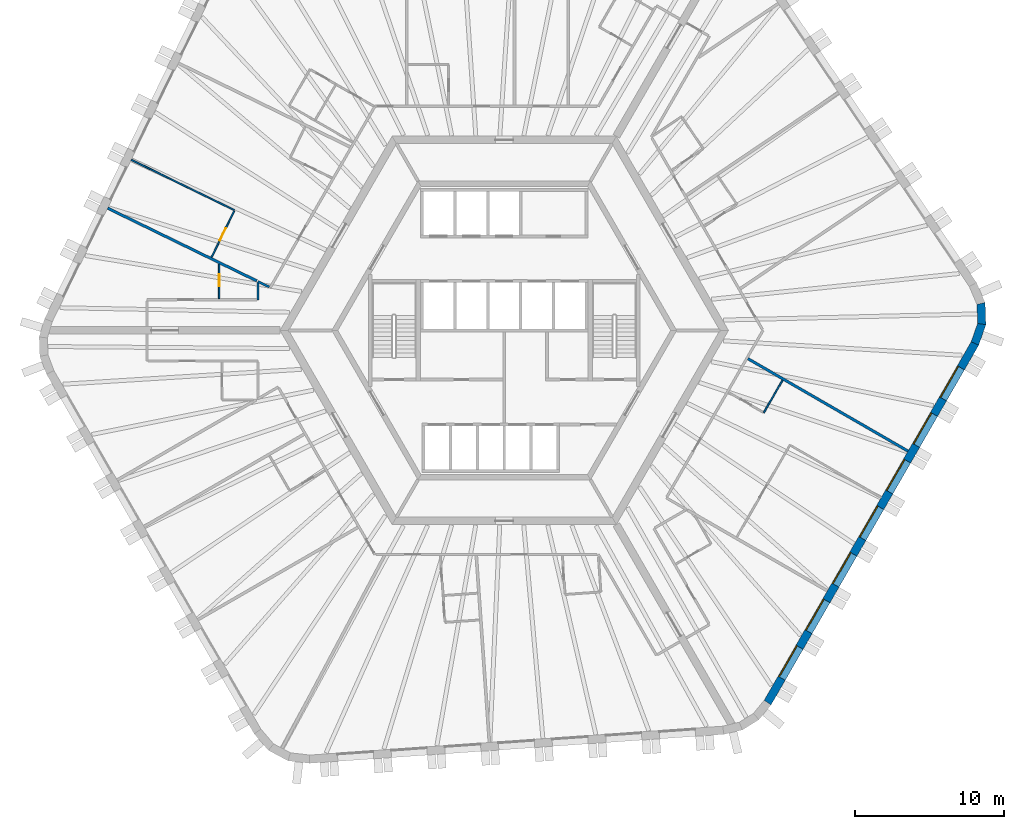
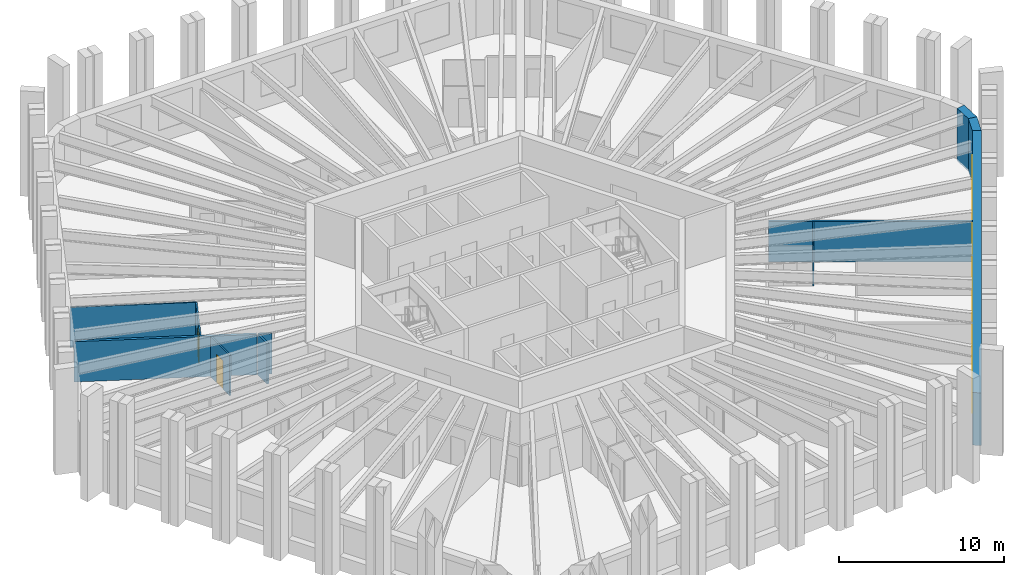
# One storey, part 6 of 11: 11 walls, 7 windows, 2 doors, 9 openings.
"""IFC4 building model written with IfcOpenShell, lengths in metres."""

from ifc_helpers import new_model, si_unit, direction, frame, frame_2d, origin, place, context, subcontext, project, spatial, polyline, rectangle, outline, extrude, material, layer, layer_set, type_object, element, fill, save


model = new_model("IFC4")

# Units and contexts
model_context = context("Model", 3, precision=1e-05, world=origin(), true_north=direction((0.0, 1.0)))
body_context = subcontext(model_context, "Body", "Model", "MODEL_VIEW")
ifc_project = project(units=[si_unit("LENGTHUNIT", "METRE"), si_unit("AREAUNIT", "SQUARE_METRE"), si_unit("VOLUMEUNIT", "CUBIC_METRE"), si_unit("PLANEANGLEUNIT", "RADIAN"), si_unit("MASSUNIT", "GRAM", prefix="KILO")], contexts=[model_context])

# Site, building, storey
site_placement = place(None, origin())
site = spatial("IfcSite", under=ifc_project, at=site_placement, CompositionType="ELEMENT")
building_placement = place(site_placement, origin())
building = spatial("IfcBuilding", under=site, at=building_placement, Name="Tarnside Tower", CompositionType="ELEMENT")
storey_placement = place(building_placement, frame((0.0, 0.0, 207.300048828125)))
storey = spatial("IfcBuildingStorey", under=building, at=storey_placement, Name="L49", CompositionType="ELEMENT", Elevation=207.300048828125)

# Wall, opening, door
ifc_material_1 = material(Name="Gypsum board partition on steel studs", Category="steel")
ifc_layer_1 = layer(ifc_material_1, 0.10009765625)
ifc_layer_set_1 = layer_set([ifc_layer_1], Name="Bathroom wall 100")
wall_type_1 = type_object("IfcWallType", Name="Bathroom wall 100", PredefinedType="PARTITIONING", material=ifc_layer_set_1)
wall_1_placement = place(storey_placement, frame((-19.0869140625, 2.125, 0.0), z_axis=(0.0, 0.0, 1.0), x_axis=(0.0, 1.0, 0.0)))
wall_1 = element("IfcWall", 1, at=wall_1_placement, inside=storey, type_object=wall_type_1, Name="Bathroom wall 16075", PredefinedType="PARTITIONING", context=body_context, shape_type="SweptSolid", body=[
    extrude(rectangle(XDim=2.320068359375, YDim=0.10009765625, at=frame_2d((1.16015625, 0.0))), origin(), (0.0, 0.0, 1.0), 2.98779296875),
])
opening_1_placement = place(wall_1_placement, frame((0.824951171875, 0.0, 0.0)))
opening_1 = element("IfcOpeningElement", 2, at=opening_1_placement, cuts=wall_1, Name="Opening D-B1", PredefinedType="OPENING", context=body_context, shape_type="SweptSolid", body=[
    extrude(rectangle(XDim=0.800048828125, YDim=2.10009765625, at=frame_2d((0.39990234375, 1.050048828125))), frame((0.0, 0.06005859375, 0.0), z_axis=(0.0, -1.0, 0.0), x_axis=(1.0, 0.0, 0.0)), (0.0, 0.0, 1.0), 0.1201171875),
])
ifc_material_2 = material(Name="Timber door leaf", Category="wood")
door_type_1 = type_object("IfcDoorType", Name="Bathroom door 800", OperationType="NOTDEFINED", PredefinedType="DOOR", material=ifc_material_2)
door_1_placement = place(opening_1_placement, origin())
door_1 = element("IfcDoor", 3, at=door_1_placement, inside=storey, type_object=door_type_1, Name="Bathroom door 16013", OperationType="SINGLE_SWING_LEFT", OverallHeight=2.10009765625, OverallWidth=0.800048828125, PredefinedType="DOOR", context=body_context, shape_type="SweptSolid", body=[
    extrude(rectangle(XDim=0.800048828125, YDim=2.10009765625, at=frame_2d((0.39990234375, 1.050048828125))), frame((0.0, 0.02490234375, 0.0), z_axis=(0.0, -1.0, 0.0), x_axis=(1.0, 0.0, 0.0)), (0.0, 0.0, 1.0), 0.050048828125),
])
fill(opening_1, door_1)

# Walls
wall_2_placement = place(storey_placement, frame((18.629150390625, -3.333251953125, 0.0), z_axis=(0.0, 0.0, 1.0), x_axis=(-0.499946979623, -0.86605601295, 0.0)))
element("IfcWall", 4, at=wall_2_placement, inside=storey, type_object=wall_type_1, Name="Bathroom wall 16100", PredefinedType="PARTITIONING", context=body_context, shape_type="SweptSolid", body=[
    extrude(rectangle(XDim=2.510009765625, YDim=0.10009765625, at=frame_2d((1.2548828125, 0.0))), origin(), (0.0, 0.0, 1.0), 2.98779296875),
])
ifc_layer_2 = layer(ifc_material_1, 0.14990234375)
ifc_layer_set_2 = layer_set([ifc_layer_2], Name="Corridor wall 150 EI 60")
wall_type_2 = type_object("IfcWallType", Name="Corridor wall 150 EI 60", PredefinedType="PARTITIONING", material=ifc_layer_set_2)
wall_3_placement = place(storey_placement, frame((-15.728759765625, 2.9072265625, 0.0), z_axis=(0.0, 0.0, 1.0), x_axis=(-0.898821061416, 0.438315753259, 0.0)))
element("IfcWall", 5, at=wall_3_placement, inside=storey, type_object=wall_type_2, Name="Corridor wall 16013", PredefinedType="PARTITIONING", context=body_context, shape_type="SweptSolid", body=[
    extrude(rectangle(XDim=0.84716796875, YDim=0.14990234375, at=frame_2d((0.423583984375, 0.0))), origin(), (0.0, 0.0, 1.0), 2.98779296875),
])
wall_4_placement = place(storey_placement, frame((-16.487060546875, 3.193603515625, 0.0), z_axis=(0.0, 0.0, 1.0), x_axis=(0.0, -1.0, 0.0)))
element("IfcWall", 6, at=wall_4_placement, inside=storey, type_object=wall_type_2, Name="Corridor wall 16017", PredefinedType="PARTITIONING", context=body_context, shape_type="SweptSolid", body=[
    extrude(rectangle(XDim=1.1435546875, YDim=0.14990234375, at=frame_2d((0.57177734375, 0.0))), origin(), (0.0, 0.0, 1.0), 2.98779296875),
])
ifc_layer_3 = layer(ifc_material_1, 0.179931640625)
ifc_layer_set_3 = layer_set([ifc_layer_3], Name="Demising wall 180 EI 60")
wall_type_3 = type_object("IfcWallType", Name="Demising wall 180 EI 60", PredefinedType="PARTITIONING", material=ifc_layer_set_3)
wall_5_placement = place(storey_placement, frame((-26.549072265625, 8.1845703125, 0.0), z_axis=(0.0, 0.0, 1.0), x_axis=(0.898799907013, -0.43835913034, 0.0)))
element("IfcWall", 7, at=wall_5_placement, inside=storey, type_object=wall_type_3, Name="Demising wall 16072", PredefinedType="PARTITIONING", context=body_context, shape_type="SweptSolid", body=[
    extrude(rectangle(XDim=11.111572265625, YDim=0.179931640625, at=frame_2d((5.5556640625, 0.0))), origin(), (0.0, 0.0, 1.0), 2.98779296875),
])
wall_6_placement = place(storey_placement, frame((27.03125, -8.080322265625, 0.0), z_axis=(0.0, 0.0, 1.0), x_axis=(-0.866024931941, 0.500000817256, 0.0)))
element("IfcWall", 8, at=wall_6_placement, inside=storey, type_object=wall_type_3, Name="Demising wall 16104", PredefinedType="PARTITIONING", context=body_context, shape_type="SweptSolid", body=[
    extrude(rectangle(XDim=12.375, YDim=0.179931640625, at=frame_2d((6.1875, 0.0))), origin(), (0.0, 0.0, 1.0), 2.98779296875),
])
ifc_layer_4 = layer(ifc_material_1, 0.10009765625)
ifc_layer_set_4 = layer_set([ifc_layer_4], Name="Partition 100")
wall_type_4 = type_object("IfcWallType", Name="Partition 100", PredefinedType="PARTITIONING", material=ifc_layer_set_4)
wall_7_placement = place(storey_placement, frame((-24.970947265625, 11.420166015625, 0.0), z_axis=(0.0, 0.0, 1.0), x_axis=(0.89880199998, -0.438354838951, 0.0)))
element("IfcWall", 9, at=wall_7_placement, inside=storey, type_object=wall_type_4, Name="Partition wall 16070", PredefinedType="PARTITIONING", context=body_context, shape_type="SweptSolid", body=[
    extrude(rectangle(XDim=7.69140625, YDim=0.10009765625, at=frame_2d((3.845703125, 0.0))), origin(), (0.0, 0.0, 1.0), 2.98779296875),
])

# Wall, opening, door
wall_8_placement = place(storey_placement, frame((-18.07958984375, 8.003662109375, 0.0), z_axis=(0.0, 0.0, 1.0), x_axis=(-0.438386097111, -0.898786754386, 0.0)))
wall_8 = element("IfcWall", 10, at=wall_8_placement, inside=storey, type_object=wall_type_4, Name="Partition wall 16071", PredefinedType="PARTITIONING", context=body_context, shape_type="SweptSolid", body=[
    extrude(rectangle(XDim=3.4599609375, YDim=0.10009765625, at=frame_2d((1.72998046875, 0.0))), origin(), (0.0, 0.0, 1.0), 2.98779296875),
])
opening_2_placement = place(wall_8_placement, frame((1.300048828125, 0.0, 0.0)))
opening_2 = element("IfcOpeningElement", 11, at=opening_2_placement, cuts=wall_8, Name="Opening D-I1", PredefinedType="OPENING", context=body_context, shape_type="SweptSolid", body=[
    extrude(rectangle(XDim=0.89990234375, YDim=2.10009765625, at=frame_2d((0.449951171875, 1.050048828125))), frame((0.0, 0.06005859375, 0.0), z_axis=(0.0, -1.0, 0.0), x_axis=(1.0, 0.0, 0.0)), (0.0, 0.0, 1.0), 0.1201171875),
])
door_type_2 = type_object("IfcDoorType", Name="Internal door 900", OperationType="NOTDEFINED", PredefinedType="DOOR", material=ifc_material_2)
door_2_placement = place(opening_2_placement, origin())
door_2 = element("IfcDoor", 12, at=door_2_placement, inside=storey, type_object=door_type_2, Name="Internal door 16011", OperationType="SINGLE_SWING_RIGHT", OverallHeight=2.10009765625, OverallWidth=0.89990234375, PredefinedType="DOOR", context=body_context, shape_type="SweptSolid", body=[
    extrude(rectangle(XDim=0.89990234375, YDim=2.10009765625, at=frame_2d((0.449951171875, 1.050048828125))), frame((0.0, 0.02490234375, 0.0), z_axis=(0.0, -1.0, 0.0), x_axis=(1.0, 0.0, 0.0)), (0.0, 0.0, 1.0), 0.050048828125),
])
fill(opening_2, door_2)

# Wall, openings, windows
ifc_material_3 = material(Name="Facing brick", Category="masonry")
ifc_layer_5 = layer(ifc_material_3, 0.10205078125)
ifc_material_4 = material(Name="Concrete C60/75 precast", Category="concrete")
ifc_layer_6 = layer(ifc_material_4, 0.347900390625)
ifc_material_5 = material(Name="Mineral wool insulation")
ifc_layer_7 = layer(ifc_material_5, 0.10009765625)
ifc_layer_set_5 = layer_set([ifc_layer_5, ifc_layer_6, ifc_layer_7], Name="Tube wall 550 brick faced")
wall_type_5 = type_object("IfcWallType", Name="Tube wall 550 brick faced", PredefinedType="SOLIDWALL", material=ifc_layer_set_5)
wall_9_placement = place(storey_placement, frame((17.630126953125, -24.913818359375, -0.150146484375), z_axis=(0.0, 0.0, 1.0), x_axis=(0.499998569178, 0.866026229868, 0.0)))
wall_9 = element("IfcWall", 13, at=wall_9_placement, inside=storey, type_object=wall_type_5, Name="Tube wall L49 F5 flush 16", PredefinedType="SOLIDWALL", context=body_context, shape_type="SweptSolid", body=[
    extrude(outline(polyline([(-0.0224609375, -0.27490234375), (27.783447265625, -0.27490234375), (27.732177734375, 0.27490234375), (0.0224609375, 0.27490234375), (-0.0224609375, -0.27490234375)])), origin(), (0.0, 0.0, 1.0), 3.900146484375),
])
opening_3_placement = place(wall_9_placement, frame((1.87890625, 0.0, 1.050048828125)))
opening_3 = element("IfcOpeningElement", 14, at=opening_3_placement, cuts=wall_9, Name="Opening WH", PredefinedType="OPENING", context=body_context, shape_type="SweptSolid", body=[
    extrude(rectangle(XDim=2.39990234375, YDim=2.39990234375, at=frame_2d((1.199951171875, 1.199951171875))), frame((0.0, 0.28515625, 0.0), z_axis=(0.0, -1.0, 0.0), x_axis=(1.0, 0.0, 0.0)), (0.0, 0.0, 1.0), 0.570068359375),
])
opening_4_placement = place(wall_9_placement, frame((5.47900390625, 0.0, 1.050048828125)))
opening_4 = element("IfcOpeningElement", 15, at=opening_4_placement, cuts=wall_9, Name="Opening WH", PredefinedType="OPENING", context=body_context, shape_type="SweptSolid", body=[
    extrude(rectangle(XDim=2.39990234375, YDim=2.39990234375, at=frame_2d((1.199951171875, 1.199951171875))), frame((0.0, 0.28515625, 0.0), z_axis=(0.0, -1.0, 0.0), x_axis=(1.0, 0.0, 0.0)), (0.0, 0.0, 1.0), 0.570068359375),
])
opening_5_placement = place(wall_9_placement, frame((9.078857421875, 0.0, 1.050048828125)))
opening_5 = element("IfcOpeningElement", 16, at=opening_5_placement, cuts=wall_9, Name="Opening WH", PredefinedType="OPENING", context=body_context, shape_type="SweptSolid", body=[
    extrude(rectangle(XDim=2.39990234375, YDim=2.39990234375, at=frame_2d((1.199951171875, 1.199951171875))), frame((0.0, 0.28515625, 0.0), z_axis=(0.0, -1.0, 0.0), x_axis=(1.0, 0.0, 0.0)), (0.0, 0.0, 1.0), 0.570068359375),
])
opening_6_placement = place(wall_9_placement, frame((12.678955078125, 0.0, 1.050048828125)))
opening_6 = element("IfcOpeningElement", 17, at=opening_6_placement, cuts=wall_9, Name="Opening WH", PredefinedType="OPENING", context=body_context, shape_type="SweptSolid", body=[
    extrude(rectangle(XDim=2.39990234375, YDim=2.39990234375, at=frame_2d((1.199951171875, 1.199951171875))), frame((0.0, 0.28515625, 0.0), z_axis=(0.0, -1.0, 0.0), x_axis=(1.0, 0.0, 0.0)), (0.0, 0.0, 1.0), 0.570068359375),
])
opening_7_placement = place(wall_9_placement, frame((16.27880859375, 0.0, 1.050048828125)))
opening_7 = element("IfcOpeningElement", 18, at=opening_7_placement, cuts=wall_9, Name="Opening WH", PredefinedType="OPENING", context=body_context, shape_type="SweptSolid", body=[
    extrude(rectangle(XDim=2.39990234375, YDim=2.39990234375, at=frame_2d((1.199951171875, 1.199951171875))), frame((0.0, 0.28515625, 0.0), z_axis=(0.0, -1.0, 0.0), x_axis=(1.0, 0.0, 0.0)), (0.0, 0.0, 1.0), 0.570068359375),
])
opening_8_placement = place(wall_9_placement, frame((19.87890625, 0.0, 1.050048828125)))
opening_8 = element("IfcOpeningElement", 19, at=opening_8_placement, cuts=wall_9, Name="Opening WH", PredefinedType="OPENING", context=body_context, shape_type="SweptSolid", body=[
    extrude(rectangle(XDim=2.39990234375, YDim=2.39990234375, at=frame_2d((1.199951171875, 1.199951171875))), frame((0.0, 0.28515625, 0.0), z_axis=(0.0, -1.0, 0.0), x_axis=(1.0, 0.0, 0.0)), (0.0, 0.0, 1.0), 0.570068359375),
])
opening_9_placement = place(wall_9_placement, frame((23.47900390625, 0.0, 1.050048828125)))
opening_9 = element("IfcOpeningElement", 20, at=opening_9_placement, cuts=wall_9, Name="Opening WH", PredefinedType="OPENING", context=body_context, shape_type="SweptSolid", body=[
    extrude(rectangle(XDim=2.39990234375, YDim=2.39990234375, at=frame_2d((1.199951171875, 1.199951171875))), frame((0.0, 0.28515625, 0.0), z_axis=(0.0, -1.0, 0.0), x_axis=(1.0, 0.0, 0.0)), (0.0, 0.0, 1.0), 0.570068359375),
])
ifc_material_6 = material(Name="Aluminium-framed double glazing", Category="aluminium")
window_type = type_object("IfcWindowType", Name="Hotel window 2400 x 2400", PartitioningType="DOUBLE_PANEL_VERTICAL", PredefinedType="WINDOW", material=ifc_material_6)
window_1_placement = place(opening_3_placement, frame((0.0, 0.205078125, 0.0)))
window_1 = element("IfcWindow", 21, at=window_1_placement, inside=storey, type_object=window_type, Name="E.WN.L49.F5.00", OverallHeight=2.39990234375, OverallWidth=2.39990234375, PartitioningType="DOUBLE_PANEL_VERTICAL", PredefinedType="WINDOW", context=body_context, shape_type="SweptSolid", body=[
    extrude(rectangle(XDim=2.39990234375, YDim=2.39990234375, at=frame_2d((1.199951171875, 1.199951171875))), frame((0.0, 0.030029296875, 0.0), z_axis=(0.0, -1.0, 0.0), x_axis=(1.0, 0.0, 0.0)), (0.0, 0.0, 1.0), 0.06005859375),
])
fill(opening_3, window_1)
window_2_placement = place(opening_4_placement, frame((0.0, 0.205078125, 0.0)))
window_2 = element("IfcWindow", 22, at=window_2_placement, inside=storey, type_object=window_type, Name="E.WN.L49.F5.01", OverallHeight=2.39990234375, OverallWidth=2.39990234375, PartitioningType="DOUBLE_PANEL_VERTICAL", PredefinedType="WINDOW", context=body_context, shape_type="SweptSolid", body=[
    extrude(rectangle(XDim=2.39990234375, YDim=2.39990234375, at=frame_2d((1.199951171875, 1.199951171875))), frame((0.0, 0.030029296875, 0.0), z_axis=(0.0, -1.0, 0.0), x_axis=(1.0, 0.0, 0.0)), (0.0, 0.0, 1.0), 0.06005859375),
])
fill(opening_4, window_2)
window_3_placement = place(opening_5_placement, frame((0.0, 0.205078125, 0.0)))
window_3 = element("IfcWindow", 23, at=window_3_placement, inside=storey, type_object=window_type, Name="E.WN.L49.F5.02", OverallHeight=2.39990234375, OverallWidth=2.39990234375, PartitioningType="DOUBLE_PANEL_VERTICAL", PredefinedType="WINDOW", context=body_context, shape_type="SweptSolid", body=[
    extrude(rectangle(XDim=2.39990234375, YDim=2.39990234375, at=frame_2d((1.199951171875, 1.199951171875))), frame((0.0, 0.030029296875, 0.0), z_axis=(0.0, -1.0, 0.0), x_axis=(1.0, 0.0, 0.0)), (0.0, 0.0, 1.0), 0.06005859375),
])
fill(opening_5, window_3)
window_4_placement = place(opening_6_placement, frame((0.0, 0.205078125, 0.0)))
window_4 = element("IfcWindow", 24, at=window_4_placement, inside=storey, type_object=window_type, Name="E.WN.L49.F5.03", OverallHeight=2.39990234375, OverallWidth=2.39990234375, PartitioningType="DOUBLE_PANEL_VERTICAL", PredefinedType="WINDOW", context=body_context, shape_type="SweptSolid", body=[
    extrude(rectangle(XDim=2.39990234375, YDim=2.39990234375, at=frame_2d((1.199951171875, 1.199951171875))), frame((0.0, 0.030029296875, 0.0), z_axis=(0.0, -1.0, 0.0), x_axis=(1.0, 0.0, 0.0)), (0.0, 0.0, 1.0), 0.06005859375),
])
fill(opening_6, window_4)
window_5_placement = place(opening_7_placement, frame((0.0, 0.205078125, 0.0)))
window_5 = element("IfcWindow", 25, at=window_5_placement, inside=storey, type_object=window_type, Name="E.WN.L49.F5.04", OverallHeight=2.39990234375, OverallWidth=2.39990234375, PartitioningType="DOUBLE_PANEL_VERTICAL", PredefinedType="WINDOW", context=body_context, shape_type="SweptSolid", body=[
    extrude(rectangle(XDim=2.39990234375, YDim=2.39990234375, at=frame_2d((1.199951171875, 1.199951171875))), frame((0.0, 0.030029296875, 0.0), z_axis=(0.0, -1.0, 0.0), x_axis=(1.0, 0.0, 0.0)), (0.0, 0.0, 1.0), 0.06005859375),
])
fill(opening_7, window_5)
window_6_placement = place(opening_8_placement, frame((0.0, 0.205078125, 0.0)))
window_6 = element("IfcWindow", 26, at=window_6_placement, inside=storey, type_object=window_type, Name="E.WN.L49.F5.05", OverallHeight=2.39990234375, OverallWidth=2.39990234375, PartitioningType="DOUBLE_PANEL_VERTICAL", PredefinedType="WINDOW", context=body_context, shape_type="SweptSolid", body=[
    extrude(rectangle(XDim=2.39990234375, YDim=2.39990234375, at=frame_2d((1.199951171875, 1.199951171875))), frame((0.0, 0.030029296875, 0.0), z_axis=(0.0, -1.0, 0.0), x_axis=(1.0, 0.0, 0.0)), (0.0, 0.0, 1.0), 0.06005859375),
])
fill(opening_8, window_6)
window_7_placement = place(opening_9_placement, frame((0.0, 0.205078125, 0.0)))
window_7 = element("IfcWindow", 27, at=window_7_placement, inside=storey, type_object=window_type, Name="E.WN.L49.F5.06", OverallHeight=2.39990234375, OverallWidth=2.39990234375, PartitioningType="DOUBLE_PANEL_VERTICAL", PredefinedType="WINDOW", context=body_context, shape_type="SweptSolid", body=[
    extrude(rectangle(XDim=2.39990234375, YDim=2.39990234375, at=frame_2d((1.199951171875, 1.199951171875))), frame((0.0, 0.030029296875, 0.0), z_axis=(0.0, -1.0, 0.0), x_axis=(1.0, 0.0, 0.0)), (0.0, 0.0, 1.0), 0.06005859375),
])
fill(opening_9, window_7)

# Walls
wall_10_placement = place(storey_placement, frame((31.509033203125, -0.874755859375, -0.150146484375), z_axis=(0.0, 0.0, 1.0), x_axis=(0.33111537203, 0.943590276765, 0.0)))
element("IfcWall", 28, at=wall_10_placement, inside=storey, type_object=wall_type_5, Name="Tube wall L49 F5 chord 17", PredefinedType="SOLIDWALL", context=body_context, shape_type="SweptSolid", body=[
    extrude(outline(polyline([(-0.025634765625, -0.27490234375), (1.4306640625, -0.27490234375), (1.3271484375, 0.27490234375), (0.025634765625, 0.27490234375), (-0.025634765625, -0.27490234375)])), origin(), (0.0, 0.0, 1.0), 3.900146484375),
])
wall_11_placement = place(storey_placement, frame((31.965576171875, 0.42626953125, -0.150146484375), z_axis=(0.0, 0.0, 1.0), x_axis=(-0.034876908462, 0.999391615562, 0.0)))
element("IfcWall", 29, at=wall_11_placement, inside=storey, type_object=wall_type_5, Name="Tube wall L49 F5 chord 18", PredefinedType="SOLIDWALL", context=body_context, shape_type="SweptSolid", body=[
    extrude(outline(polyline([(-0.0517578125, -0.27490234375), (1.4306640625, -0.27490234375), (1.3271484375, 0.27490234375), (0.0517578125, 0.27490234375), (-0.0517578125, -0.27490234375)])), origin(), (0.0, 0.0, 1.0), 3.900146484375),
])

save(model, "model.ifc")
